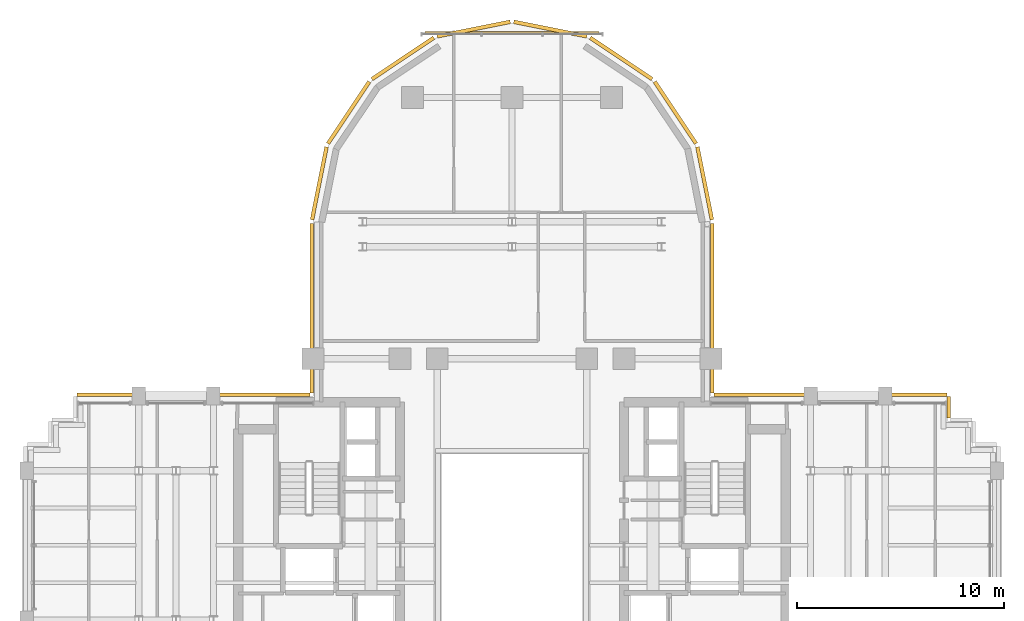
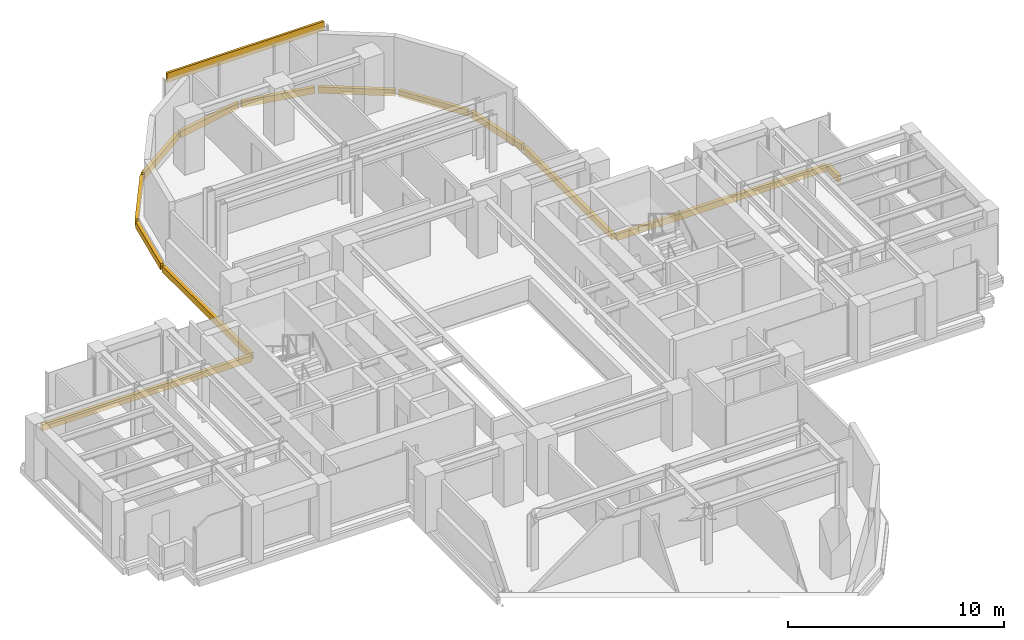
# One storey, part 14 of 14: 14 coverings.
"""IFC4 building model written with IfcOpenShell, lengths in metres."""

from ifc_helpers import new_model, si_unit, direction, frame, origin, origin_2d, place, context, subcontext, project, spatial, rectangle, extrude, source, transform, mapped, material, layer, layer_set, type_object, element, save


model = new_model("IFC4")

# Units and contexts
model_context = context("Model", 3, precision=1e-05, world=origin(), true_north=direction((0.0, 1.0)))
body_context = subcontext(model_context, "Body", "Model", "MODEL_VIEW")
ifc_project = project(units=[si_unit("LENGTHUNIT", "METRE"), si_unit("AREAUNIT", "SQUARE_METRE"), si_unit("VOLUMEUNIT", "CUBIC_METRE"), si_unit("PLANEANGLEUNIT", "RADIAN"), si_unit("MASSUNIT", "GRAM", prefix="KILO")], contexts=[model_context])

# Site, building, storey
site_placement = place(None, origin())
site = spatial("IfcSite", under=ifc_project, at=site_placement, CompositionType="ELEMENT")
building_placement = place(site_placement, origin())
building = spatial("IfcBuilding", under=site, at=building_placement, Name="Keilestroom Media Tower", CompositionType="ELEMENT")
storey_placement = place(building_placement, frame((0.0, 0.0, 124.39990234375)))
storey = spatial("IfcBuildingStorey", under=building, at=storey_placement, Name="L33", CompositionType="ELEMENT", Elevation=124.39990234375)

# Coverings
ifc_material = material(Name="Precast concrete C40/50", Category="concrete")
ifc_layer = layer(ifc_material, 0.1201171875)
ifc_layer_set = layer_set([ifc_layer], Name="Precast concrete C40/50")
covering_type = type_object("IfcCoveringType", Name="Exterior-Precast-Spandrel-Cladding-Panel-120", PredefinedType="CLADDING", material=ifc_layer_set)
shared_shape_1 = source(origin(), body_context, "Body", "SweptSolid", [
    extrude(rectangle(XDim=8.39990234375, YDim=0.1201171875, at=origin_2d()), origin(), (0.0, 0.0, 1.0), 0.52001953125),
])
covering_1_placement = place(storey_placement, frame((0.0, 24.719970703125, 2.690185546875), z_axis=(0.0, 0.0, 1.0), x_axis=(1.0, 0.0, 0.0)))
element("IfcCovering", 1, at=covering_1_placement, inside=storey, type_object=covering_type, Name="L33 Precast Spandrel Cladding N", PredefinedType="CLADDING", context=body_context, shape_type="MappedRepresentation", body=[
    mapped(shared_shape_1, transform((0.0, 0.0, 0.0), x_axis=(1.0, 0.0, 0.0), y_axis=(0.0, 1.0, 0.0), z_axis=(0.0, 0.0, 1.0), scale=1.0)),
])
shared_shape_2 = source(origin(), body_context, "Body", "SweptSolid", [
    extrude(rectangle(XDim=1.02001953125, YDim=0.179931640625, at=origin_2d()), origin(), (0.0, 0.0, 1.0), 0.360107421875),
])
covering_2_placement = place(storey_placement, frame((21.06005859375, 6.659912109375, -0.5400390625), z_axis=(0.0, 0.0, 1.0), x_axis=(0.0, -1.0, 0.0)))
element("IfcCovering", 2, at=covering_2_placement, inside=storey, type_object=covering_type, Name="L33 Precast Slab-Edge Fascia Cornice 38", PredefinedType="CLADDING", context=body_context, shape_type="MappedRepresentation", body=[
    mapped(shared_shape_2, transform((0.0, 0.0, 0.0), x_axis=(1.0, 0.0, 0.0), y_axis=(0.0, 1.0, 0.0), z_axis=(0.0, 0.0, 1.0), scale=1.0)),
])
shared_shape_3 = source(origin(), body_context, "Body", "SweptSolid", [
    extrude(rectangle(XDim=8.166015625, YDim=0.179931640625, at=origin_2d()), origin(), (0.0, 0.0, 1.0), 0.360107421875),
])
for number, where, z_axis, x_axis, name in (
    (3, (-9.659912109375, 11.43310546875, -0.5400390625), (0.0, 0.0, 1.0), (0.0, 1.0, 0.0), "L33 Precast Slab-Edge Fascia Cornice 27"),
    (4, (9.659912109375, 11.43310546875, -0.5400390625), (0.0, 0.0, 1.0), (0.0, -1.0, 0.0), "L33 Precast Slab-Edge Fascia Cornice 36"),
):
    element("IfcCovering", number, at=place(storey_placement, frame(where, z_axis=z_axis, x_axis=x_axis)), inside=storey, type_object=covering_type, Name=name, PredefinedType="CLADDING", context=body_context, shape_type="MappedRepresentation", body=[
        mapped(shared_shape_3, transform((0.0, 0.0, 0.0), x_axis=(1.0, 0.0, 0.0), y_axis=(0.0, 1.0, 0.0), z_axis=(0.0, 0.0, 1.0), scale=1.0)),
    ])
shared_shape_4 = source(origin(), body_context, "Body", "SweptSolid", [
    extrude(rectangle(XDim=3.58349609375, YDim=0.179931640625, at=origin_2d()), origin(), (0.0, 0.0, 1.0), 0.360107421875),
])
for number, where, z_axis, x_axis, name in (
    (5, (-9.29296875, 17.45166015625, -0.5400390625), (0.0, 0.0, 1.0), (0.195098880975, 0.980783577882, 0.0), "L33 Precast Slab-Edge Fascia Cornice 28"),
    (6, (9.29296875, 17.45166015625, -0.5400390625), (0.0, 0.0, 1.0), (0.195098880975, -0.980783577882, 0.0), "L33 Precast Slab-Edge Fascia Cornice 35"),
):
    element("IfcCovering", number, at=place(storey_placement, frame(where, z_axis=z_axis, x_axis=x_axis)), inside=storey, type_object=covering_type, Name=name, PredefinedType="CLADDING", context=body_context, shape_type="MappedRepresentation", body=[
        mapped(shared_shape_4, transform((0.0, 0.0, 0.0), x_axis=(1.0, 0.0, 0.0), y_axis=(0.0, 1.0, 0.0), z_axis=(0.0, 0.0, 1.0), scale=1.0)),
    ])
shared_shape_5 = source(origin(), body_context, "Body", "SweptSolid", [
    extrude(rectangle(XDim=3.589599609375, YDim=0.179931640625, at=origin_2d()), origin(), (0.0, 0.0, 1.0), 0.360107421875),
])
for number, where, z_axis, x_axis, name in (
    (7, (-7.878662109375, 20.8642578125, -0.5400390625), (0.0, 0.0, 1.0), (0.555574586577, 0.831466703332, 0.0), "L33 Precast Slab-Edge Fascia Cornice 29"),
    (8, (-5.264404296875, 23.478515625, -0.5400390625), (0.0, 0.0, 1.0), (0.831466703332, 0.555574586577, 0.0), "L33 Precast Slab-Edge Fascia Cornice 30"),
    (9, (-1.8486328125, 24.893310546875, -0.5400390625), (0.0, 0.0, 1.0), (0.980783577882, 0.195098880975, 0.0), "L33 Precast Slab-Edge Fascia Cornice 31"),
    (10, (1.8486328125, 24.893310546875, -0.5400390625), (0.0, 0.0, 1.0), (0.980783577882, -0.195098880975, 0.0), "L33 Precast Slab-Edge Fascia Cornice 32"),
    (11, (5.264404296875, 23.478515625, -0.5400390625), (0.0, 0.0, 1.0), (0.831466703332, -0.555574586577, 0.0), "L33 Precast Slab-Edge Fascia Cornice 33"),
    (12, (7.878662109375, 20.8642578125, -0.5400390625), (0.0, 0.0, 1.0), (0.555574586577, -0.831466703332, 0.0), "L33 Precast Slab-Edge Fascia Cornice 34"),
):
    element("IfcCovering", number, at=place(storey_placement, frame(where, z_axis=z_axis, x_axis=x_axis)), inside=storey, type_object=covering_type, Name=name, PredefinedType="CLADDING", context=body_context, shape_type="MappedRepresentation", body=[
        mapped(shared_shape_5, transform((0.0, 0.0, 0.0), x_axis=(1.0, 0.0, 0.0), y_axis=(0.0, 1.0, 0.0), z_axis=(0.0, 0.0, 1.0), scale=1.0)),
    ])
shared_shape_6 = source(origin(), body_context, "Body", "SweptSolid", [
    extrude(rectangle(XDim=11.219970703125, YDim=0.179931640625, at=origin_2d()), origin(), (0.0, 0.0, 1.0), 0.360107421875),
])
for number, where, z_axis, x_axis, name in (
    (13, (-15.360107421875, 7.260009765625, -0.5400390625), (0.0, 0.0, 1.0), (1.0, 0.0, 0.0), "L33 Precast Slab-Edge Fascia Cornice 26"),
    (14, (15.360107421875, 7.260009765625, -0.5400390625), (0.0, 0.0, 1.0), (1.0, 0.0, 0.0), "L33 Precast Slab-Edge Fascia Cornice 37"),
):
    element("IfcCovering", number, at=place(storey_placement, frame(where, z_axis=z_axis, x_axis=x_axis)), inside=storey, type_object=covering_type, Name=name, PredefinedType="CLADDING", context=body_context, shape_type="MappedRepresentation", body=[
        mapped(shared_shape_6, transform((0.0, 0.0, 0.0), x_axis=(1.0, 0.0, 0.0), y_axis=(0.0, 1.0, 0.0), z_axis=(0.0, 0.0, 1.0), scale=1.0)),
    ])

save(model, "model.ifc")
